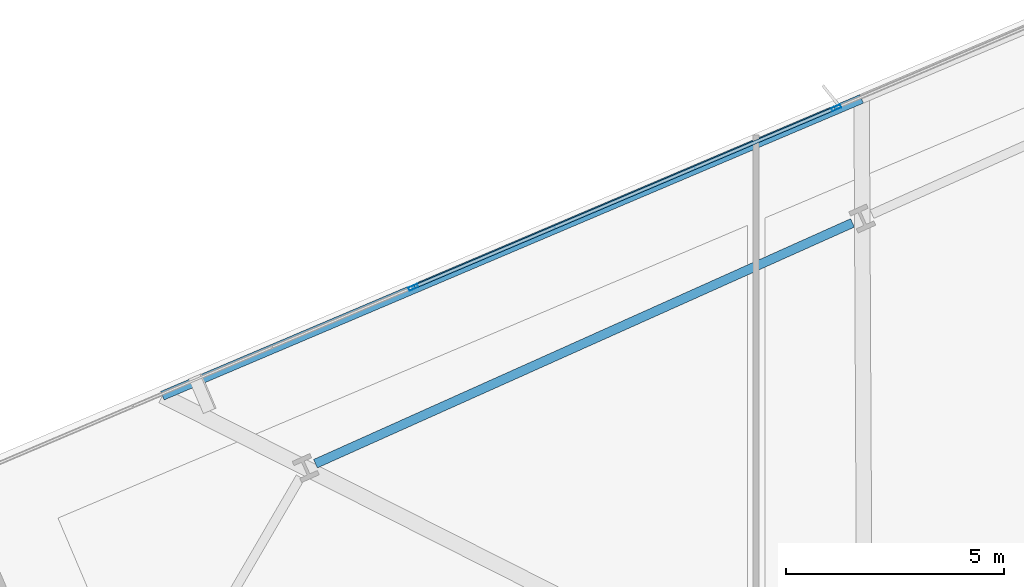
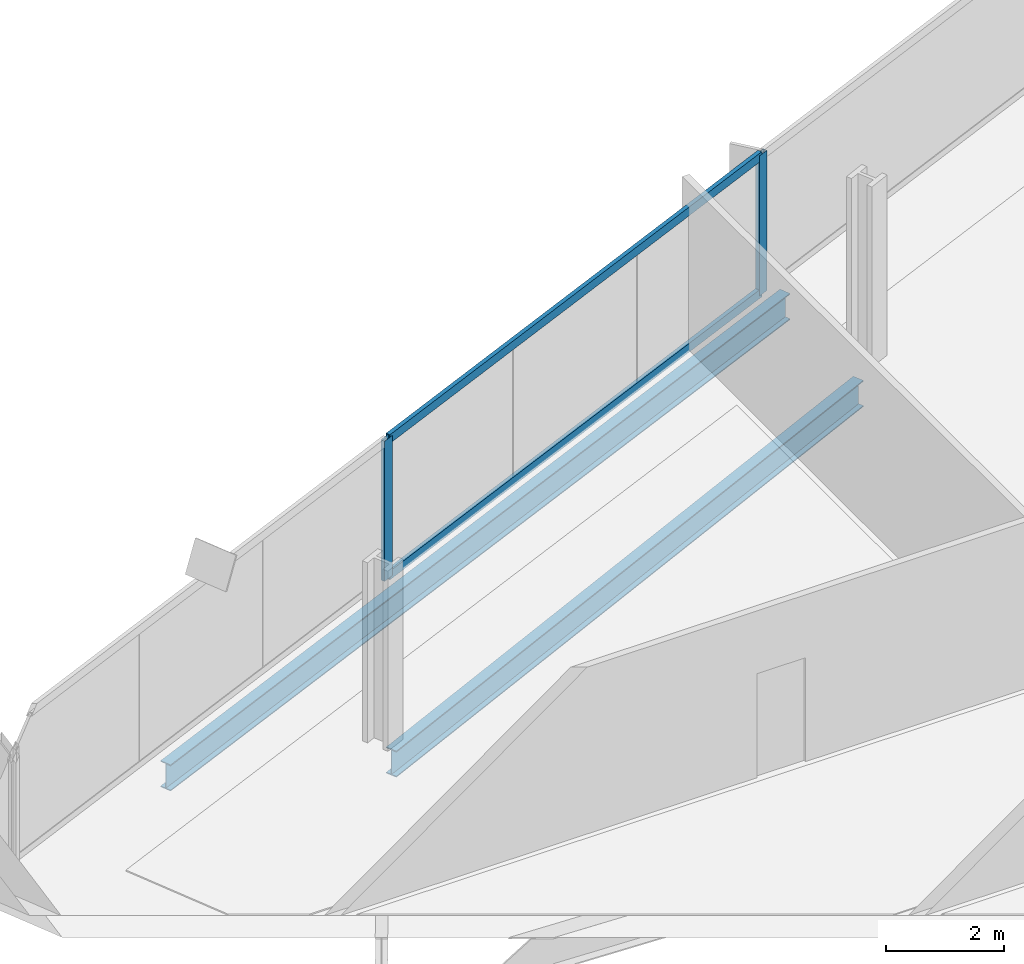
# One storey, part 18 of 34: 4 members, 2 beams, 1 element without a shape of its own.
"""IFC4 building model written with IfcOpenShell, lengths in metres."""

from ifc_helpers import new_model, si_unit, direction, frame, origin, origin_2d, place, context, subcontext, project, spatial, hollow_rectangle, i_section, extrude, material, material_profile, profile_set, type_object, element, aggregate, save


model = new_model("IFC4")

# Units and contexts
model_context = context("Model", 3, precision=1e-05, world=origin(), true_north=direction((0.0, 1.0)))
body_context = subcontext(model_context, "Body", "Model", "MODEL_VIEW")
ifc_project = project(units=[si_unit("LENGTHUNIT", "METRE"), si_unit("AREAUNIT", "SQUARE_METRE"), si_unit("VOLUMEUNIT", "CUBIC_METRE"), si_unit("PLANEANGLEUNIT", "RADIAN"), si_unit("MASSUNIT", "GRAM", prefix="KILO")], contexts=[model_context])

# Site, building, storey
site_placement = place(None, origin())
site = spatial("IfcSite", under=ifc_project, at=site_placement, CompositionType="ELEMENT")
building_placement = place(site_placement, origin())
building = spatial("IfcBuilding", under=site, at=building_placement, Name="Haldenkirk Collegiate Tower", CompositionType="ELEMENT")
storey_placement = place(building_placement, frame((0.0, 0.0, 105.449951171875)))
storey = spatial("IfcBuildingStorey", under=building, at=storey_placement, Name="L25", CompositionType="ELEMENT", Elevation=105.449951171875)

# Beams
ifc_material_1 = material(Name="Steel ASTM A992 Grade 50", Category="steel")
ifc_material_profile_1 = material_profile(ifc_material_1, i_section(OverallWidth=0.2119140625, OverallDepth=0.5439453125, WebThickness=0.01318359375, FlangeThickness=0.021240234375, at=origin_2d()), Name="W21X83")
ifc_profile_set_1 = profile_set([ifc_material_profile_1], Name="Steel ASTM A992 Grade 50")
beam_type = type_object("IfcBeamType", Name="BM-SPANDREL-W21X83", PredefinedType="SPANDREL", material=ifc_profile_set_1)
beam_1_placement = place(storey_placement, frame((26.7138671875, 46.111083984375, -0.572021484375), z_axis=(-0.912476765144, -0.409128528793, 0.0), x_axis=(0.409128528793, -0.912476765144, 0.0)))
element("IfcBeam", 1, at=beam_1_placement, inside=storey, type_object=beam_type, Name="L25 perimeter spandrel beam 11", PredefinedType="SPANDREL", context=body_context, shape_type="SweptSolid", body=[
    extrude(i_section(OverallWidth=0.2119140625, OverallDepth=0.5439453125, WebThickness=0.01318359375, FlangeThickness=0.021240234375, at=origin_2d()), origin(), (0.0, 0.0, 1.0), 13.512939453125),
])
beam_2_placement = place(storey_placement, frame((26.923828125, 48.958740234375, -0.572021484375), z_axis=(-0.920505668073, -0.390729209358, 0.0), x_axis=(0.390729209358, -0.920505668073, 0.0)))
element("IfcBeam", 2, at=beam_2_placement, inside=storey, type_object=beam_type, Name="L25 outer facade edge beam 3B", PredefinedType="SPANDREL", context=body_context, shape_type="SweptSolid", body=[
    extrude(i_section(OverallWidth=0.2119140625, OverallDepth=0.5439453125, WebThickness=0.01318359375, FlangeThickness=0.021240234375, at=origin_2d()), origin(), (0.0, 0.0, 1.0), 17.442138671875),
])

# Curtain wall, members
ifc_material_2 = material(Name="Anodised architectural bronze aluminium", Category="aluminium")
curtain_wall_type = type_object("IfcCurtainWallType", Name="CW-SYS1-CONVEX-LOW", PredefinedType="USERDEFINED", material=ifc_material_2)
curtain_wall_placement = place(storey_placement, origin())
curtain_wall = element("IfcCurtainWall", 3, at=curtain_wall_placement, inside=storey, type_object=curtain_wall_type, Name="L25 Lower tower convex bronze-framed unitised curtain wall", ObjectType="UNITISED CURTAIN WALL", PredefinedType="USERDEFINED")
ifc_material_profile_2 = material_profile(ifc_material_2, hollow_rectangle(XDim=0.080078125, YDim=0.219970703125, WallThickness=0.0048828125, at=origin_2d()), Name="CW-MUL-1A")
ifc_profile_set_2 = profile_set([ifc_material_profile_2], Name="Anodised architectural bronze aluminium")
member_type_1 = type_object("IfcMemberType", Name="CW-MUL-1A", PredefinedType="MULLION", material=ifc_profile_set_2)
member_1_placement = place(storey_placement, frame((16.6298828125, 44.6328125, 0.0), z_axis=(0.0, 0.0, 1.0), x_axis=(-0.390730945162, 0.92050493127, 0.0)))
member_1 = element("IfcMember", 4, at=member_1_placement, type_object=member_type_1, Name="CW-1A mullion 2", PredefinedType="MULLION", context=body_context, shape_type="SweptSolid", body=[
    extrude(hollow_rectangle(XDim=0.080078125, YDim=0.219970703125, WallThickness=0.0048828125, at=origin_2d()), origin(), (0.0, 0.0, 1.0), 2.901123046875),
])
member_2_placement = place(storey_placement, frame((26.341064453125, 48.7548828125, 0.0), z_axis=(0.0, 0.0, 1.0), x_axis=(-0.390730945162, 0.92050493127, 0.0)))
member_2 = element("IfcMember", 5, at=member_2_placement, type_object=member_type_1, Name="CW-1A mullion 3", PredefinedType="MULLION", context=body_context, shape_type="SweptSolid", body=[
    extrude(hollow_rectangle(XDim=0.080078125, YDim=0.219970703125, WallThickness=0.0048828125, at=origin_2d()), origin(), (0.0, 0.0, 1.0), 2.901123046875),
])
ifc_material_profile_3 = material_profile(ifc_material_2, hollow_rectangle(XDim=0.080078125, YDim=0.179931640625, WallThickness=0.0048828125, at=origin_2d()), Name="CW-TRN-1A")
ifc_profile_set_3 = profile_set([ifc_material_profile_3], Name="Anodised architectural bronze aluminium")
member_type_2 = type_object("IfcMemberType", Name="CW-TRN-1A", PredefinedType="USERDEFINED", material=ifc_profile_set_3)
member_3_placement = place(storey_placement, frame((16.66650390625, 44.6484375, 0.0400390625), z_axis=(0.920509615817, 0.390719908872, 0.0), x_axis=(-0.390719908872, 0.920509615817, 0.0)))
member_3 = element("IfcMember", 6, at=member_3_placement, type_object=member_type_2, Name="CW-1A transom 2.1", ObjectType="TRANSOM", PredefinedType="USERDEFINED", context=body_context, shape_type="SweptSolid", body=[
    extrude(hollow_rectangle(XDim=0.080078125, YDim=0.179931640625, WallThickness=0.0048828125, at=origin_2d()), origin(), (0.0, 0.0, 1.0), 10.469970703125),
])
member_4_placement = place(storey_placement, frame((16.66650390625, 44.6484375, 2.861083984375), z_axis=(0.920509615817, 0.390719908872, 0.0), x_axis=(-0.390719908872, 0.920509615817, 0.0)))
member_4 = element("IfcMember", 7, at=member_4_placement, type_object=member_type_2, Name="CW-1A transom 2.2", ObjectType="TRANSOM", PredefinedType="USERDEFINED", context=body_context, shape_type="SweptSolid", body=[
    extrude(hollow_rectangle(XDim=0.080078125, YDim=0.179931640625, WallThickness=0.0048828125, at=origin_2d()), origin(), (0.0, 0.0, 1.0), 10.469970703125),
])
aggregate(curtain_wall, [member_1, member_2, member_3, member_4])

save(model, "model.ifc")
